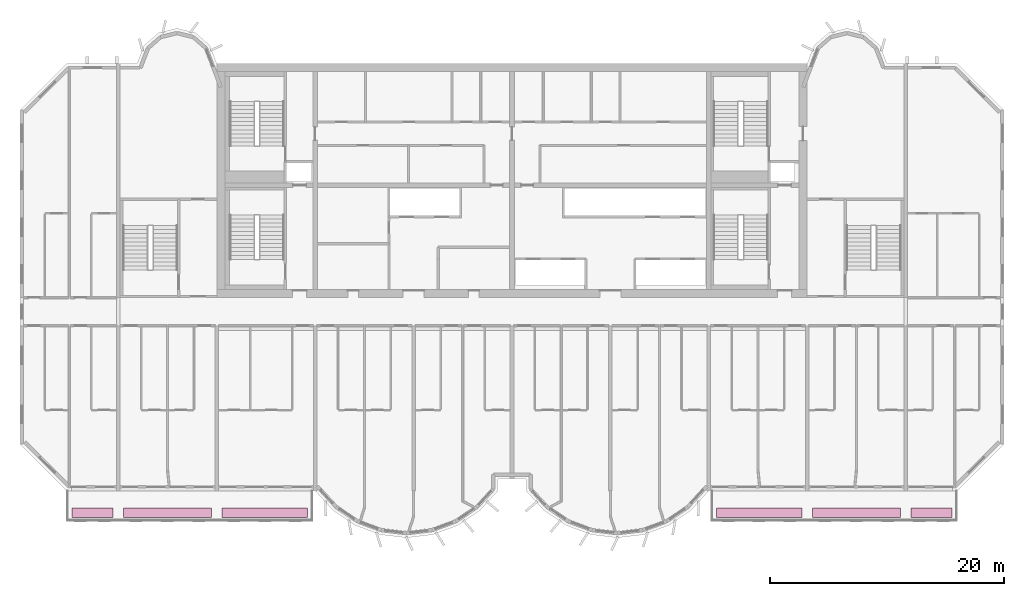
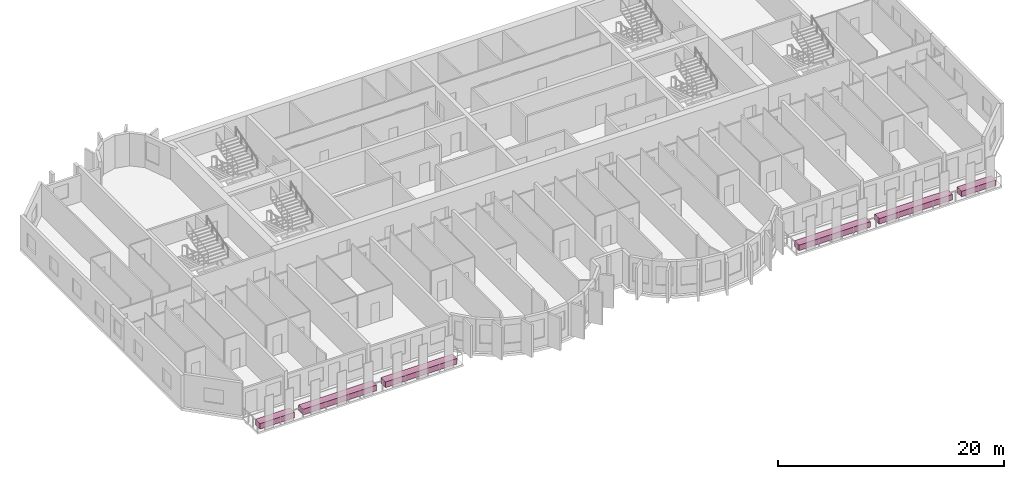
# One storey, part 13 of 13: 6 furniture elements.
"""IFC4 building model written with IfcOpenShell, lengths in metres."""

from ifc_helpers import new_model, si_unit, direction, frame, origin, origin_2d, place, context, subcontext, project, spatial, rectangle, extrude, source, transform, mapped, material, type_object, element, save


model = new_model("IFC4")

# Units and contexts
model_context = context("Model", 3, precision=1e-05, world=origin(), true_north=direction((0.0, 1.0)))
body_context = subcontext(model_context, "Body", "Model", "MODEL_VIEW")
ifc_project = project(units=[si_unit("LENGTHUNIT", "METRE"), si_unit("AREAUNIT", "SQUARE_METRE"), si_unit("VOLUMEUNIT", "CUBIC_METRE"), si_unit("PLANEANGLEUNIT", "RADIAN"), si_unit("MASSUNIT", "GRAM", prefix="KILO")], contexts=[model_context])

# Site, building, storey
site_placement = place(None, origin())
site = spatial("IfcSite", under=ifc_project, at=site_placement, CompositionType="ELEMENT")
building_placement = place(site_placement, origin())
building = spatial("IfcBuilding", under=site, at=building_placement, Name="Vanashikhar Sky Hotel", CompositionType="ELEMENT")
storey_placement = place(building_placement, frame((0.0, 0.0, 178.199951171875)))
storey = spatial("IfcBuildingStorey", under=building, at=storey_placement, Name="L43", CompositionType="ELEMENT", Elevation=178.199951171875)

# Furniture
ifc_material = material(Name="Planting soil and shrubs")
furniture_type = type_object("IfcFurnitureType", Name="Planter trough", AssemblyPlace="NOTDEFINED", PredefinedType="USERDEFINED", material=ifc_material)
shared_shape_1 = source(origin(), body_context, "Body", "SweptSolid", [
    extrude(rectangle(XDim=3.5, YDim=0.800048828125, at=origin_2d()), origin(), (0.0, 0.0, 1.0), 0.60009765625),
])
for number, where, z_axis, x_axis, name in (
    (1, (14.60009765625, 3.64990234375, -0.050048828125), (0.0, 0.0, 1.0), (1.0, 0.0, 0.0), "PLANTER with climbers"),
    (2, (86.199951171875, 3.64990234375, -0.050048828125), (0.0, 0.0, 1.0), (1.0, 0.0, 0.0), "PLANTER with climbers"),
):
    element("IfcFurniture", number, at=place(storey_placement, frame(where, z_axis=z_axis, x_axis=x_axis)), inside=storey, type_object=furniture_type, Name=name, ObjectType="PLANTER", PredefinedType="USERDEFINED", context=body_context, shape_type="MappedRepresentation", body=[
        mapped(shared_shape_1, transform((0.0, 0.0, 0.0), scale=1.0)),
    ])
shared_shape_2 = source(origin(), body_context, "Body", "SweptSolid", [
    extrude(rectangle(XDim=7.5, YDim=0.800048828125, at=origin_2d()), origin(), (0.0, 0.0, 1.0), 0.60009765625),
])
for number, where, z_axis, x_axis, name in (
    (3, (21.0, 3.64990234375, -0.050048828125), (0.0, 0.0, 1.0), (1.0, 0.0, 0.0), "PLANTER with climbers"),
    (4, (79.800048828125, 3.64990234375, -0.050048828125), (0.0, 0.0, 1.0), (1.0, 0.0, 0.0), "PLANTER with climbers"),
):
    element("IfcFurniture", number, at=place(storey_placement, frame(where, z_axis=z_axis, x_axis=x_axis)), inside=storey, type_object=furniture_type, Name=name, ObjectType="PLANTER", PredefinedType="USERDEFINED", context=body_context, shape_type="MappedRepresentation", body=[
        mapped(shared_shape_2, transform((0.0, 0.0, 0.0), scale=1.0)),
    ])
shared_shape_3 = source(origin(), body_context, "Body", "SweptSolid", [
    extrude(rectangle(XDim=7.300048828125, YDim=0.800048828125, at=origin_2d()), origin(), (0.0, 0.0, 1.0), 0.60009765625),
])
for number, where, z_axis, x_axis, name in (
    (5, (29.300048828125, 3.64990234375, -0.050048828125), (0.0, 0.0, 1.0), (1.0, 0.0, 0.0), "PLANTER with climbers"),
    (6, (71.5, 3.64990234375, -0.050048828125), (0.0, 0.0, 1.0), (1.0, 0.0, 0.0), "PLANTER with climbers"),
):
    element("IfcFurniture", number, at=place(storey_placement, frame(where, z_axis=z_axis, x_axis=x_axis)), inside=storey, type_object=furniture_type, Name=name, ObjectType="PLANTER", PredefinedType="USERDEFINED", context=body_context, shape_type="MappedRepresentation", body=[
        mapped(shared_shape_3, transform((0.0, 0.0, 0.0), scale=1.0)),
    ])

save(model, "model.ifc")
